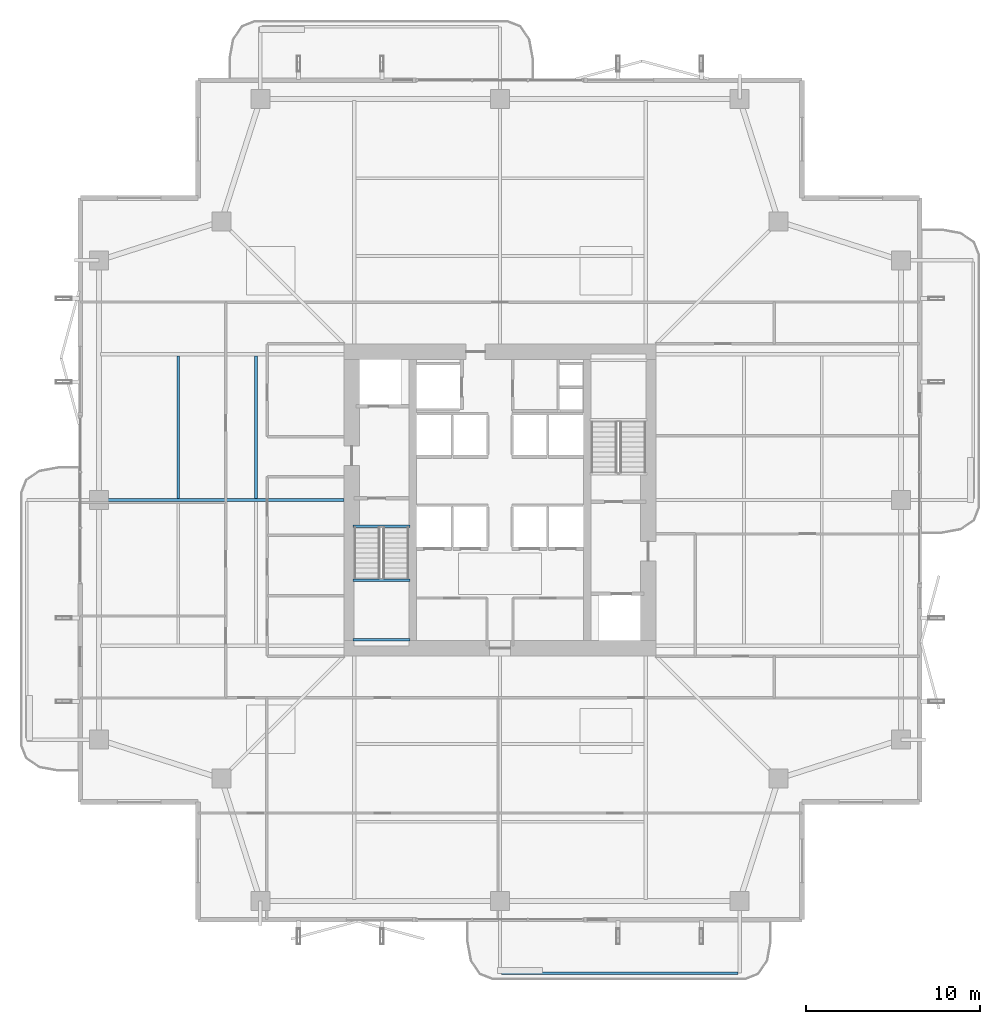
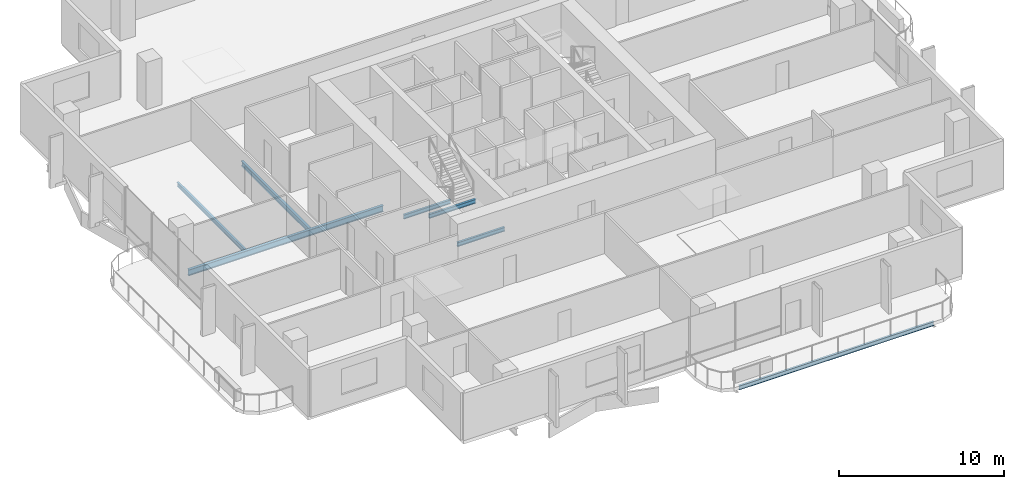
# One storey, part 7 of 24: 7 beams.
"""IFC4 building model written with IfcOpenShell, lengths in metres."""

from ifc_helpers import new_model, si_unit, direction, frame, origin, origin_2d, place, context, subcontext, project, spatial, i_section, extrude, material, material_profile, profile_set, type_object, element, save


model = new_model("IFC4")

# Units and contexts
model_context = context("Model", 3, precision=1e-05, world=origin(), true_north=direction((0.0, 1.0)))
body_context = subcontext(model_context, "Body", "Model", "MODEL_VIEW")
ifc_project = project(units=[si_unit("LENGTHUNIT", "METRE"), si_unit("AREAUNIT", "SQUARE_METRE"), si_unit("VOLUMEUNIT", "CUBIC_METRE"), si_unit("PLANEANGLEUNIT", "RADIAN"), si_unit("MASSUNIT", "GRAM", prefix="KILO")], contexts=[model_context])

# Site, building, storey
site_placement = place(None, origin())
site = spatial("IfcSite", under=ifc_project, at=site_placement, CompositionType="ELEMENT")
building_placement = place(site_placement, origin())
building = spatial("IfcBuilding", under=site, at=building_placement, Name="Belovzor Exchange Tower", CompositionType="ELEMENT")
storey_placement = place(building_placement, frame((0.0, 0.0, 179.550048828125)))
storey = spatial("IfcBuildingStorey", under=building, at=storey_placement, Name="L44", CompositionType="ELEMENT", Elevation=179.550048828125)

# Beams
ifc_material_1 = material(Name="Steel S355", Category="steel")
ifc_material_profile_1 = material_profile(ifc_material_1, i_section(OverallWidth=0.14990234375, OverallDepth=0.300048828125, WebThickness=0.007080078125, FlangeThickness=0.0107421875, at=origin_2d()))
ifc_profile_set_1 = profile_set([ifc_material_profile_1], Name="Steel S355")
beam_type_1 = type_object("IfcBeamType", Name="Planted Balcony Fascia Edge Beam IPE 300", PredefinedType="BEAM", material=ifc_profile_set_1)
beam_1_placement = place(storey_placement, frame((28.89990234375, 1.547119140625, -0.405029296875), z_axis=(1.0, 0.0, 0.0), x_axis=(0.0, 1.0, 0.0)))
element("IfcBeam", 1, at=beam_1_placement, inside=storey, type_object=beam_type_1, Name="BC-300 Planted Balcony Fascia Edge Beam IPE 300", PredefinedType="BEAM", context=body_context, shape_type="SweptSolid", body=[
    extrude(i_section(OverallWidth=0.14990234375, OverallDepth=0.300048828125, WebThickness=0.007080078125, FlangeThickness=0.0107421875, at=origin_2d()), origin(), (0.0, 0.0, 1.0), 13.60009765625),
])
ifc_material_2 = material(Name="Steel S355", Category="steel")
ifc_material_profile_2 = material_profile(ifc_material_2, i_section(OverallWidth=0.169921875, OverallDepth=0.360107421875, WebThickness=0.008056640625, FlangeThickness=0.0126953125, at=origin_2d()))
ifc_profile_set_2 = profile_set([ifc_material_profile_2], Name="Steel S355")
beam_type_2 = type_object("IfcBeamType", Name="Secondary Infill Floor Joist IPE 360", PredefinedType="BEAM", material=ifc_profile_set_2)
beam_2_placement = place(storey_placement, frame((14.7509765625, 28.89501953125, -0.43505859375), z_axis=(0.0, 1.0, 0.0), x_axis=(-1.0, 0.0, 0.0)))
element("IfcBeam", 2, at=beam_2_placement, inside=storey, type_object=beam_type_2, Name="FJ-360 Secondary Infill Floor Joist IPE 360", PredefinedType="BEAM", context=body_context, shape_type="SweptSolid", body=[
    extrude(i_section(OverallWidth=0.169921875, OverallDepth=0.360107421875, WebThickness=0.008056640625, FlangeThickness=0.0126953125, at=origin_2d()), origin(), (0.0, 0.0, 1.0), 8.2099609375),
])
ifc_material_3 = material(Name="Steel S355", Category="steel")
ifc_material_profile_3 = material_profile(ifc_material_3, i_section(OverallWidth=0.14990234375, OverallDepth=0.300048828125, WebThickness=0.007080078125, FlangeThickness=0.0107421875, at=origin_2d()))
ifc_profile_set_3 = profile_set([ifc_material_profile_3], Name="Steel S355")
beam_type_3 = type_object("IfcBeamType", Name="Secondary Trim Floor Joist IPE 300", PredefinedType="BEAM", material=ifc_profile_set_3)
for number, where, z_axis, x_axis, name in (
    (3, (20.320068359375, 24.179931640625, 1.52490234375), (1.0, 0.0, 0.0), (0.0, 1.0, 0.0), "FJ-300 Secondary Trim Floor Joist IPE 300"),
    (4, (20.320068359375, 20.75, 1.52490234375), (1.0, 0.0, 0.0), (0.0, 1.0, 0.0), "FJ-300 Secondary Trim Floor Joist IPE 300"),
):
    element("IfcBeam", number, at=place(storey_placement, frame(where, z_axis=z_axis, x_axis=x_axis)), inside=storey, type_object=beam_type_3, Name=name, PredefinedType="BEAM", context=body_context, shape_type="SweptSolid", body=[
        extrude(i_section(OverallWidth=0.14990234375, OverallDepth=0.300048828125, WebThickness=0.007080078125, FlangeThickness=0.0107421875, at=origin_2d()), origin(), (0.0, 0.0, 1.0), 3.309814453125),
    ])
beam_3_placement = place(storey_placement, frame((20.340087890625, 27.280029296875, -0.405029296875), z_axis=(1.0, 0.0, 0.0), x_axis=(0.0, 1.0, 0.0)))
element("IfcBeam", 5, at=beam_3_placement, inside=storey, type_object=beam_type_3, Name="FJ-300 Secondary Trim Floor Joist IPE 300", PredefinedType="BEAM", context=body_context, shape_type="SweptSolid", body=[
    extrude(i_section(OverallWidth=0.14990234375, OverallDepth=0.300048828125, WebThickness=0.007080078125, FlangeThickness=0.0107421875, at=origin_2d()), origin(), (0.0, 0.0, 1.0), 3.27001953125),
])
beam_4_placement = place(storey_placement, frame((10.262939453125, 28.89501953125, -0.405029296875), z_axis=(0.0, 1.0, 0.0), x_axis=(-1.0, 0.0, 0.0)))
element("IfcBeam", 6, at=beam_4_placement, inside=storey, type_object=beam_type_3, Name="FJ-300 Secondary Trim Floor Joist IPE 300", PredefinedType="BEAM", context=body_context, shape_type="SweptSolid", body=[
    extrude(i_section(OverallWidth=0.14990234375, OverallDepth=0.300048828125, WebThickness=0.007080078125, FlangeThickness=0.0107421875, at=origin_2d()), origin(), (0.0, 0.0, 1.0), 8.2099609375),
])
ifc_material_4 = material(Name="Steel S355", Category="steel")
ifc_material_profile_4 = material_profile(ifc_material_4, i_section(OverallWidth=0.18994140625, OverallDepth=0.449951171875, WebThickness=0.009521484375, FlangeThickness=0.0146484375, at=origin_2d()))
ifc_profile_set_4 = profile_set([ifc_material_profile_4], Name="Steel S355")
beam_type_4 = type_object("IfcBeamType", Name="Zone 2-4 Radial Composite Floor Beam IPE 450", PredefinedType="BEAM", material=ifc_profile_set_4)
beam_5_placement = place(storey_placement, frame((19.800048828125, 28.800048828125, -0.47998046875), z_axis=(-1.0, 0.0, 0.0), x_axis=(0.0, -1.0, 0.0)))
element("IfcBeam", 7, at=beam_5_placement, inside=storey, type_object=beam_type_4, Name="FB-450 Zone 2-4 Radial Composite Floor Beam IPE 450", PredefinedType="BEAM", context=body_context, shape_type="SweptSolid", body=[
    extrude(i_section(OverallWidth=0.18994140625, OverallDepth=0.449951171875, WebThickness=0.009521484375, FlangeThickness=0.0146484375, at=origin_2d()), origin(), (0.0, 0.0, 1.0), 13.615966796875),
])

save(model, "model.ifc")
